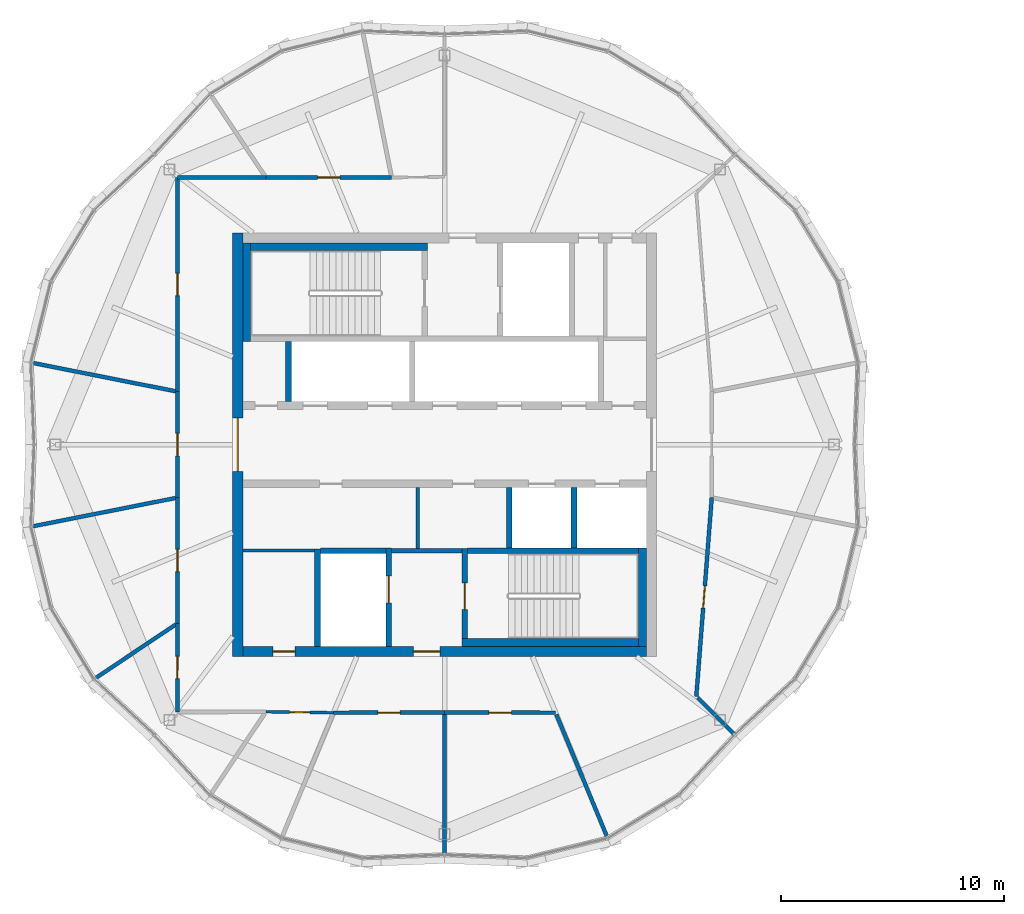
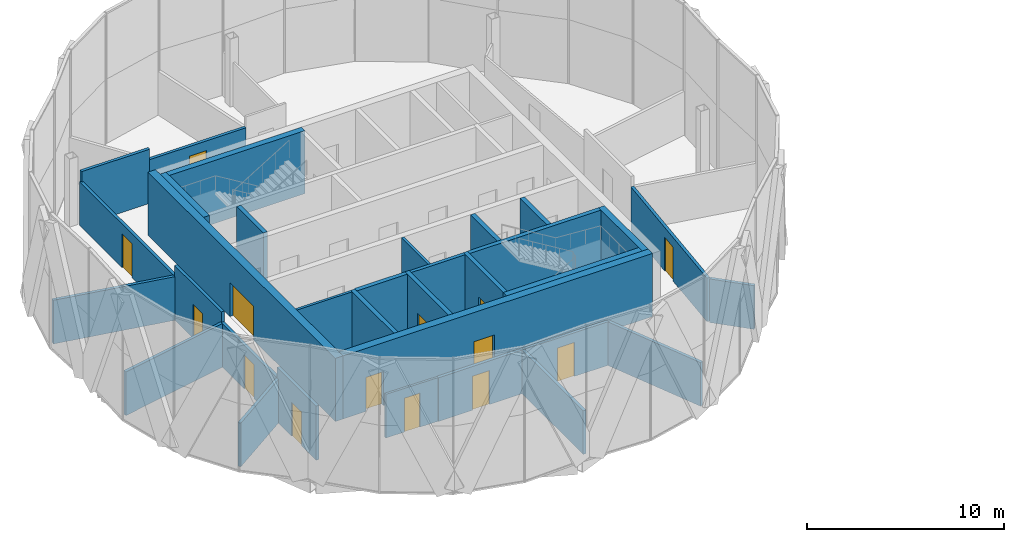
# One storey, part 15 of 22: 33 walls, 14 doors, 14 openings.
"""IFC4 building model written with IfcOpenShell, lengths in metres."""

from ifc_helpers import new_model, si_unit, direction, frame, frame_2d, origin, place, context, subcontext, project, spatial, rectangle, extrude, material, layer, layer_set, type_object, element, fill, save


model = new_model("IFC4")

# Units and contexts
model_context = context("Model", 3, precision=1e-05, world=origin(), true_north=direction((0.0, 1.0)))
body_context = subcontext(model_context, "Body", "Model", "MODEL_VIEW")
ifc_project = project(units=[si_unit("LENGTHUNIT", "METRE"), si_unit("AREAUNIT", "SQUARE_METRE"), si_unit("VOLUMEUNIT", "CUBIC_METRE"), si_unit("PLANEANGLEUNIT", "RADIAN"), si_unit("MASSUNIT", "GRAM", prefix="KILO")], contexts=[model_context])

# Site, building, storey
site_placement = place(None, origin())
site = spatial("IfcSite", under=ifc_project, at=site_placement, CompositionType="ELEMENT")
building_placement = place(site_placement, origin())
building = spatial("IfcBuilding", under=site, at=building_placement, Name="Ogive Gate Towers", CompositionType="ELEMENT")
storey_placement = place(building_placement, frame((0.0, 0.0, 285.60009765625)))
storey = spatial("IfcBuildingStorey", under=building, at=storey_placement, Name="L67", CompositionType="ELEMENT", Elevation=285.60009765625)

# Walls
ifc_material_1 = material(Name="Gypsum board acoustic partition")
ifc_layer_1 = layer(ifc_material_1, 0.175048828125)
ifc_layer_set_1 = layer_set([ifc_layer_1], Name="Acoustic partition 175")
wall_type_1 = type_object("IfcWallType", Name="Acoustic partition 175", PredefinedType="PARTITIONING", material=ifc_layer_set_1)
for number, where, z_axis, x_axis, name in (
    (1, (-54.440185546875, 3.658203125, 0.0), (0.0, 0.0, 1.0), (0.980884237162, -0.1945921717, 0.0), "Partition T1-L67-006"),
    (2, (-54.440185546875, -3.658203125, 0.0), (0.0, 0.0, 1.0), (0.980884237162, 0.1945921717, 0.0), "Partition T1-L67-007"),
):
    element("IfcWall", number, at=place(storey_placement, frame(where, z_axis=z_axis, x_axis=x_axis)), inside=storey, type_object=wall_type_1, Name=name, PredefinedType="PARTITIONING", context=body_context, shape_type="SweptSolid", body=[
        extrude(rectangle(XDim=6.50146484375, YDim=0.175048828125, at=frame_2d((3.250732421875, 0.0))), origin(), (0.0, 0.0, 1.0), 2.699951171875),
    ])
wall_1_placement = place(storey_placement, frame((-51.700439453125, -10.502197265625, 0.0), z_axis=(0.0, 0.0, 1.0), x_axis=(0.831193947299, 0.555982573444, 0.0)))
element("IfcWall", 3, at=wall_1_placement, inside=storey, type_object=wall_type_1, Name="Partition T1-L67-008", PredefinedType="PARTITIONING", context=body_context, shape_type="SweptSolid", body=[
    extrude(rectangle(XDim=4.39111328125, YDim=0.175048828125, at=frame_2d((2.195556640625, 0.0))), origin(), (0.0, 0.0, 1.0), 2.699951171875),
])
wall_2_placement = place(storey_placement, frame((-36.0, -18.299072265625, 0.0), z_axis=(0.0, 0.0, 1.0), x_axis=(0.0, 1.0, 0.0)))
element("IfcWall", 4, at=wall_2_placement, inside=storey, type_object=wall_type_1, Name="Partition T1-L67-011", PredefinedType="PARTITIONING", context=body_context, shape_type="SweptSolid", body=[
    extrude(rectangle(XDim=6.201416015625, YDim=0.175048828125, at=frame_2d((3.1005859375, 0.0))), origin(), (0.0, 0.0, 1.0), 2.699951171875),
])
wall_3_placement = place(storey_placement, frame((-28.72900390625, -17.553955078125, 0.0), z_axis=(0.0, 0.0, 1.0), x_axis=(-0.382661134108, 0.923888768436, 0.0)))
element("IfcWall", 5, at=wall_3_placement, inside=storey, type_object=wall_type_1, Name="Partition T1-L67-012", PredefinedType="PARTITIONING", context=body_context, shape_type="SweptSolid", body=[
    extrude(rectangle(XDim=5.901611328125, YDim=0.175048828125, at=frame_2d((2.95068359375, 0.0))), origin(), (0.0, 0.0, 1.0), 2.699951171875),
])
wall_4_placement = place(storey_placement, frame((-23.005126953125, -12.994873046875, 0.0), z_axis=(0.0, 0.0, 1.0), x_axis=(-0.707106781187, 0.707106781187, 0.0)))
element("IfcWall", 6, at=wall_4_placement, inside=storey, type_object=wall_type_1, Name="Partition T1-L67-013", PredefinedType="PARTITIONING", context=body_context, shape_type="SweptSolid", body=[
    extrude(rectangle(XDim=2.329833984375, YDim=0.175048828125, at=frame_2d((1.1650390625, 0.0))), origin(), (0.0, 0.0, 1.0), 2.699951171875),
])

# Wall, opening, door
wall_5_placement = place(storey_placement, frame((-40.979248046875, -12.020751953125, 0.0), z_axis=(0.0, 0.0, 1.0), x_axis=(0.999997672839, 0.002157386497, 0.0)))
wall_5 = element("IfcWall", 7, at=wall_5_placement, inside=storey, type_object=wall_type_1, Name="Partition T1-L67-016", PredefinedType="PARTITIONING", context=body_context, shape_type="SweptSolid", body=[
    extrude(rectangle(XDim=4.979248046875, YDim=0.175048828125, at=frame_2d((2.48974609375, 0.0))), origin(), (0.0, 0.0, 1.0), 2.699951171875),
])
opening_1_placement = place(wall_5_placement, frame((1.989990234375, 0.0, 0.0)))
opening_1 = element("IfcOpeningElement", 8, at=opening_1_placement, cuts=wall_5, Name="Opening T1-L67-D02", PredefinedType="OPENING", context=body_context, shape_type="SweptSolid", body=[
    extrude(rectangle(XDim=1.0, YDim=2.10009765625, at=frame_2d((0.5, 1.050048828125))), frame((0.0, 0.09765625, 0.0), z_axis=(0.0, -1.0, 0.0), x_axis=(1.0, 0.0, 0.0)), (0.0, 0.0, 1.0), 0.195068359375),
])
ifc_material_2 = material(Name="Timber door", Category="wood")
door_type_1 = type_object("IfcDoorType", Name="Door 1000", OperationType="NOTDEFINED", PredefinedType="DOOR", material=ifc_material_2)
door_1_placement = place(opening_1_placement, origin())
door_1 = element("IfcDoor", 9, at=door_1_placement, inside=storey, type_object=door_type_1, Name="Door T1-L67-D02", OperationType="SINGLE_SWING_LEFT", OverallHeight=2.10009765625, OverallWidth=1.0, PredefinedType="DOOR", context=body_context, shape_type="SweptSolid", body=[
    extrude(rectangle(XDim=1.0, YDim=2.10009765625, at=frame_2d((0.5, 1.050048828125))), frame((0.0, 0.02490234375, 0.0), z_axis=(0.0, -1.0, 0.0), x_axis=(1.0, 0.0, 0.0)), (0.0, 0.0, 1.0), 0.050048828125),
])
fill(opening_1, door_1)

wall_6_placement = place(storey_placement, frame((-36.0, -12.010009765625, 0.0), z_axis=(0.0, 0.0, 1.0), x_axis=(0.999997672839, -0.002157386497, 0.0)))
wall_6 = element("IfcWall", 10, at=wall_6_placement, inside=storey, type_object=wall_type_1, Name="Partition T1-L67-017", PredefinedType="PARTITIONING", context=body_context, shape_type="SweptSolid", body=[
    extrude(rectangle(XDim=4.979248046875, YDim=0.175048828125, at=frame_2d((2.48974609375, 0.0))), origin(), (0.0, 0.0, 1.0), 2.699951171875),
])
opening_2_placement = place(wall_6_placement, frame((1.989990234375, 0.0, 0.0)))
opening_2 = element("IfcOpeningElement", 11, at=opening_2_placement, cuts=wall_6, Name="Opening T1-L67-D03", PredefinedType="OPENING", context=body_context, shape_type="SweptSolid", body=[
    extrude(rectangle(XDim=1.0, YDim=2.10009765625, at=frame_2d((0.5, 1.050048828125))), frame((0.0, 0.09765625, 0.0), z_axis=(0.0, -1.0, 0.0), x_axis=(1.0, 0.0, 0.0)), (0.0, 0.0, 1.0), 0.195068359375),
])
door_2_placement = place(opening_2_placement, origin())
door_2 = element("IfcDoor", 12, at=door_2_placement, inside=storey, type_object=door_type_1, Name="Door T1-L67-D03", OperationType="SINGLE_SWING_RIGHT", OverallHeight=2.10009765625, OverallWidth=1.0, PredefinedType="DOOR", context=body_context, shape_type="SweptSolid", body=[
    extrude(rectangle(XDim=1.0, YDim=2.10009765625, at=frame_2d((0.5, 1.050048828125))), frame((0.0, 0.02490234375, 0.0), z_axis=(0.0, -1.0, 0.0), x_axis=(1.0, 0.0, 0.0)), (0.0, 0.0, 1.0), 0.050048828125),
])
fill(opening_2, door_2)

wall_7_placement = place(storey_placement, frame((-24.714599609375, -11.285400390625, 0.0), z_axis=(0.0, 0.0, 1.0), x_axis=(0.077400559518, 0.997000076924, 0.0)))
wall_7 = element("IfcWall", 13, at=wall_7_placement, inside=storey, type_object=wall_type_1, Name="Partition T1-L67-018", PredefinedType="PARTITIONING", context=body_context, shape_type="SweptSolid", body=[
    extrude(rectangle(XDim=8.93603515625, YDim=0.175048828125, at=frame_2d((4.468017578125, 0.0))), origin(), (0.0, 0.0, 1.0), 2.699951171875),
])
opening_3_placement = place(wall_7_placement, frame((3.968017578125, 0.0, 0.0)))
opening_3 = element("IfcOpeningElement", 14, at=opening_3_placement, cuts=wall_7, Name="Opening T1-L67-D04", PredefinedType="OPENING", context=body_context, shape_type="SweptSolid", body=[
    extrude(rectangle(XDim=1.0, YDim=2.10009765625, at=frame_2d((0.5, 1.050048828125))), frame((0.0, 0.09765625, 0.0), z_axis=(0.0, -1.0, 0.0), x_axis=(1.0, 0.0, 0.0)), (0.0, 0.0, 1.0), 0.195068359375),
])
door_3_placement = place(opening_3_placement, origin())
door_3 = element("IfcDoor", 15, at=door_3_placement, inside=storey, type_object=door_type_1, Name="Door T1-L67-D04", OperationType="SINGLE_SWING_LEFT", OverallHeight=2.10009765625, OverallWidth=1.0, PredefinedType="DOOR", context=body_context, shape_type="SweptSolid", body=[
    extrude(rectangle(XDim=1.0, YDim=2.10009765625, at=frame_2d((0.5, 1.050048828125))), frame((0.0, 0.02490234375, 0.0), z_axis=(0.0, -1.0, 0.0), x_axis=(1.0, 0.0, 0.0)), (0.0, 0.0, 1.0), 0.050048828125),
])
fill(opening_3, door_3)

wall_8_placement = place(storey_placement, frame((-38.376220703125, 11.97705078125, 0.0), z_axis=(0.0, 0.0, 1.0), x_axis=(-0.999999991556, 0.000129954515, 0.0)))
wall_8 = element("IfcWall", 16, at=wall_8_placement, inside=storey, type_object=wall_type_1, Name="Partition T1-L67-022", PredefinedType="PARTITIONING", context=body_context, shape_type="SweptSolid", body=[
    extrude(rectangle(XDim=5.635986328125, YDim=0.175048828125, at=frame_2d((2.81787109375, 0.0))), origin(), (0.0, 0.0, 1.0), 2.699951171875),
])
opening_4_placement = place(wall_8_placement, frame((2.318115234375, 0.0, 0.0)))
opening_4 = element("IfcOpeningElement", 17, at=opening_4_placement, cuts=wall_8, Name="Opening T1-L67-D08", PredefinedType="OPENING", context=body_context, shape_type="SweptSolid", body=[
    extrude(rectangle(XDim=1.0, YDim=2.10009765625, at=frame_2d((0.5, 1.050048828125))), frame((0.0, 0.09765625, 0.0), z_axis=(0.0, -1.0, 0.0), x_axis=(1.0, 0.0, 0.0)), (0.0, 0.0, 1.0), 0.195068359375),
])
door_4_placement = place(opening_4_placement, origin())
door_4 = element("IfcDoor", 18, at=door_4_placement, inside=storey, type_object=door_type_1, Name="Door T1-L67-D08", OperationType="SINGLE_SWING_RIGHT", OverallHeight=2.10009765625, OverallWidth=1.0, PredefinedType="DOOR", context=body_context, shape_type="SweptSolid", body=[
    extrude(rectangle(XDim=1.0, YDim=2.10009765625, at=frame_2d((0.5, 1.050048828125))), frame((0.0, 0.02490234375, 0.0), z_axis=(0.0, -1.0, 0.0), x_axis=(1.0, 0.0, 0.0)), (0.0, 0.0, 1.0), 0.050048828125),
])
fill(opening_4, door_4)

wall_9_placement = place(storey_placement, frame((-47.97998046875, 11.97998046875, 0.0), z_axis=(0.0, 0.0, 1.0), x_axis=(0.000305056294, -0.99999995347, 0.0)))
wall_9 = element("IfcWall", 19, at=wall_9_placement, inside=storey, type_object=wall_type_1, Name="Partition T1-L67-023", PredefinedType="PARTITIONING", context=body_context, shape_type="SweptSolid", body=[
    extrude(rectangle(XDim=9.603759765625, YDim=0.175048828125, at=frame_2d((4.8017578125, 0.0))), origin(), (0.0, 0.0, 1.0), 2.699951171875),
])
opening_5_placement = place(wall_9_placement, frame((4.302001953125, 0.0, 0.0)))
opening_5 = element("IfcOpeningElement", 20, at=opening_5_placement, cuts=wall_9, Name="Opening T1-L67-D09", PredefinedType="OPENING", context=body_context, shape_type="SweptSolid", body=[
    extrude(rectangle(XDim=1.0, YDim=2.10009765625, at=frame_2d((0.5, 1.050048828125))), frame((0.0, 0.09765625, 0.0), z_axis=(0.0, -1.0, 0.0), x_axis=(1.0, 0.0, 0.0)), (0.0, 0.0, 1.0), 0.195068359375),
])
door_5_placement = place(opening_5_placement, origin())
door_5 = element("IfcDoor", 21, at=door_5_placement, inside=storey, type_object=door_type_1, Name="Door T1-L67-D09", OperationType="SINGLE_SWING_LEFT", OverallHeight=2.10009765625, OverallWidth=1.0, PredefinedType="DOOR", context=body_context, shape_type="SweptSolid", body=[
    extrude(rectangle(XDim=1.0, YDim=2.10009765625, at=frame_2d((0.5, 1.050048828125))), frame((0.0, 0.02490234375, 0.0), z_axis=(0.0, -1.0, 0.0), x_axis=(1.0, 0.0, 0.0)), (0.0, 0.0, 1.0), 0.050048828125),
])
fill(opening_5, door_5)

# Wall
wall_10_placement = place(storey_placement, frame((-44.01220703125, 11.977783203125, 0.0), z_axis=(0.0, 0.0, 1.0), x_axis=(-0.999999846665, 0.000553777912, 0.0)))
element("IfcWall", 22, at=wall_10_placement, inside=storey, type_object=wall_type_1, Name="Partition T1-L67-024", PredefinedType="PARTITIONING", context=body_context, shape_type="SweptSolid", body=[
    extrude(rectangle(XDim=3.9677734375, YDim=0.175048828125, at=frame_2d((1.98388671875, 0.0))), origin(), (0.0, 0.0, 1.0), 3.349853515625),
])

# Wall, opening, door
wall_11_placement = place(storey_placement, frame((-47.97705078125, 2.376220703125, 0.0), z_axis=(0.0, 0.0, 1.0), x_axis=(0.0, -1.0, 0.0)))
wall_11 = element("IfcWall", 23, at=wall_11_placement, inside=storey, type_object=wall_type_1, Name="Partition T1-L67-025", PredefinedType="PARTITIONING", context=body_context, shape_type="SweptSolid", body=[
    extrude(rectangle(XDim=4.75244140625, YDim=0.175048828125, at=frame_2d((2.376220703125, 0.0))), origin(), (0.0, 0.0, 1.0), 3.349853515625),
])
opening_6_placement = place(wall_11_placement, frame((1.8759765625, 0.0, 0.0)))
opening_6 = element("IfcOpeningElement", 24, at=opening_6_placement, cuts=wall_11, Name="Opening T1-L67-D10", PredefinedType="OPENING", context=body_context, shape_type="SweptSolid", body=[
    extrude(rectangle(XDim=1.0, YDim=2.10009765625, at=frame_2d((0.5, 1.050048828125))), frame((0.0, 0.09765625, 0.0), z_axis=(0.0, -1.0, 0.0), x_axis=(1.0, 0.0, 0.0)), (0.0, 0.0, 1.0), 0.195068359375),
])
door_6_placement = place(opening_6_placement, origin())
door_6 = element("IfcDoor", 25, at=door_6_placement, inside=storey, type_object=door_type_1, Name="Door T1-L67-D10", OperationType="SINGLE_SWING_LEFT", OverallHeight=2.10009765625, OverallWidth=1.0, PredefinedType="DOOR", context=body_context, shape_type="SweptSolid", body=[
    extrude(rectangle(XDim=1.0, YDim=2.10009765625, at=frame_2d((0.5, 1.050048828125))), frame((0.0, 0.02490234375, 0.0), z_axis=(0.0, -1.0, 0.0), x_axis=(1.0, 0.0, 0.0)), (0.0, 0.0, 1.0), 0.050048828125),
])
fill(opening_6, door_6)

wall_12_placement = place(storey_placement, frame((-47.97705078125, -2.376220703125, 0.0), z_axis=(0.0, 0.0, 1.0), x_axis=(-0.000129954515, -0.999999991556, 0.0)))
wall_12 = element("IfcWall", 26, at=wall_12_placement, inside=storey, type_object=wall_type_1, Name="Partition T1-L67-026", PredefinedType="PARTITIONING", context=body_context, shape_type="SweptSolid", body=[
    extrude(rectangle(XDim=5.635986328125, YDim=0.175048828125, at=frame_2d((2.81787109375, 0.0))), origin(), (0.0, 0.0, 1.0), 2.699951171875),
])
opening_7_placement = place(wall_12_placement, frame((2.318115234375, 0.0, 0.0)))
opening_7 = element("IfcOpeningElement", 27, at=opening_7_placement, cuts=wall_12, Name="Opening T1-L67-D11", PredefinedType="OPENING", context=body_context, shape_type="SweptSolid", body=[
    extrude(rectangle(XDim=1.0, YDim=2.10009765625, at=frame_2d((0.5, 1.050048828125))), frame((0.0, 0.09765625, 0.0), z_axis=(0.0, -1.0, 0.0), x_axis=(1.0, 0.0, 0.0)), (0.0, 0.0, 1.0), 0.195068359375),
])
door_7_placement = place(opening_7_placement, origin())
door_7 = element("IfcDoor", 28, at=door_7_placement, inside=storey, type_object=door_type_1, Name="Door T1-L67-D11", OperationType="SINGLE_SWING_RIGHT", OverallHeight=2.10009765625, OverallWidth=1.0, PredefinedType="DOOR", context=body_context, shape_type="SweptSolid", body=[
    extrude(rectangle(XDim=1.0, YDim=2.10009765625, at=frame_2d((0.5, 1.050048828125))), frame((0.0, 0.02490234375, 0.0), z_axis=(0.0, -1.0, 0.0), x_axis=(1.0, 0.0, 0.0)), (0.0, 0.0, 1.0), 0.050048828125),
])
fill(opening_7, door_7)

wall_13_placement = place(storey_placement, frame((-47.977783203125, -8.01220703125, 0.0), z_axis=(0.0, 0.0, 1.0), x_axis=(-0.000553777912, -0.999999846665, 0.0)))
wall_13 = element("IfcWall", 29, at=wall_13_placement, inside=storey, type_object=wall_type_1, Name="Partition T1-L67-027", PredefinedType="PARTITIONING", context=body_context, shape_type="SweptSolid", body=[
    extrude(rectangle(XDim=3.9677734375, YDim=0.175048828125, at=frame_2d((1.98388671875, 0.0))), origin(), (0.0, 0.0, 1.0), 3.349853515625),
])
opening_8_placement = place(wall_13_placement, frame((1.48388671875, 0.0, 0.0)))
opening_8 = element("IfcOpeningElement", 30, at=opening_8_placement, cuts=wall_13, Name="Opening T1-L67-D12", PredefinedType="OPENING", context=body_context, shape_type="SweptSolid", body=[
    extrude(rectangle(XDim=1.0, YDim=2.10009765625, at=frame_2d((0.5, 1.050048828125))), frame((0.0, 0.09765625, 0.0), z_axis=(0.0, -1.0, 0.0), x_axis=(1.0, 0.0, 0.0)), (0.0, 0.0, 1.0), 0.195068359375),
])
door_8_placement = place(opening_8_placement, origin())
door_8 = element("IfcDoor", 31, at=door_8_placement, inside=storey, type_object=door_type_1, Name="Door T1-L67-D12", OperationType="SINGLE_SWING_RIGHT", OverallHeight=2.10009765625, OverallWidth=1.0, PredefinedType="DOOR", context=body_context, shape_type="SweptSolid", body=[
    extrude(rectangle(XDim=1.0, YDim=2.10009765625, at=frame_2d((0.5, 1.050048828125))), frame((0.0, 0.02490234375, 0.0), z_axis=(0.0, -1.0, 0.0), x_axis=(1.0, 0.0, 0.0)), (0.0, 0.0, 1.0), 0.050048828125),
])
fill(opening_8, door_8)

# Wall
ifc_material_3 = material(Name="Masonry blockwork", Category="masonry")
ifc_layer_2 = layer(ifc_material_3, 0.199951171875)
ifc_layer_set_2 = layer_set([ifc_layer_2], Name="Blockwork wall 200 mm")
wall_type_2 = type_object("IfcWallType", Name="Blockwork wall 200 mm", PredefinedType="PARTITIONING", material=ifc_layer_set_2)
wall_14_placement = place(storey_placement, frame((-38.375, -4.75, 0.0), z_axis=(0.0, 0.0, 1.0), x_axis=(1.0, 0.0, 0.0)))
element("IfcWall", 32, at=wall_14_placement, inside=storey, type_object=wall_type_2, Name="T1 L67 Blockwork wall 200 mm", PredefinedType="PARTITIONING", context=body_context, shape_type="SweptSolid", body=[
    extrude(rectangle(XDim=3.14990234375, YDim=0.199951171875, at=frame_2d((1.574951171875, 0.0))), origin(), (0.0, 0.0, 1.0), 3.89990234375),
])

# Wall, openings, doors
ifc_material_4 = material(Name="Concrete C60/75", Category="concrete")
ifc_layer_3 = layer(ifc_material_4, 0.449951171875)
ifc_layer_set_3 = layer_set([ifc_layer_3], Name="Core wall 450 mm")
wall_type_3 = type_object("IfcWallType", Name="Core wall 450 mm", PredefinedType="SHEAR", material=ifc_layer_set_3)
wall_15_placement = place(storey_placement, frame((-45.050048828125, -9.27490234375, 0.0), z_axis=(0.0, 0.0, 1.0), x_axis=(1.0, 0.0, 0.0)))
wall_15 = element("IfcWall", 33, at=wall_15_placement, inside=storey, type_object=wall_type_3, Name="T1 L67 Core wall 450 mm", PredefinedType="SHEAR", context=body_context, shape_type="SweptSolid", body=[
    extrude(rectangle(XDim=18.10009765625, YDim=0.449951171875, at=frame_2d((9.050048828125, 0.0))), origin(), (0.0, 0.0, 1.0), 3.89990234375),
])
opening_9_placement = place(wall_15_placement, frame((7.64990234375, 0.0, 0.0)))
opening_9 = element("IfcOpeningElement", 34, at=opening_9_placement, cuts=wall_15, Name="Opening KD-T1-L67-19", PredefinedType="OPENING", context=body_context, shape_type="SweptSolid", body=[
    extrude(rectangle(XDim=1.199951171875, YDim=2.10009765625, at=frame_2d((0.60009765625, 1.050048828125))), frame((0.0, 0.23486328125, 0.0), z_axis=(0.0, -1.0, 0.0), x_axis=(1.0, 0.0, 0.0)), (0.0, 0.0, 1.0), 0.469970703125),
])
opening_10_placement = place(wall_15_placement, frame((1.35009765625, 0.0, 0.0)))
opening_10 = element("IfcOpeningElement", 35, at=opening_10_placement, cuts=wall_15, Name="Opening KD-T1-L67-22", PredefinedType="OPENING", context=body_context, shape_type="SweptSolid", body=[
    extrude(rectangle(XDim=1.0, YDim=2.10009765625, at=frame_2d((0.5, 1.050048828125))), frame((0.0, 0.23486328125, 0.0), z_axis=(0.0, -1.0, 0.0), x_axis=(1.0, 0.0, 0.0)), (0.0, 0.0, 1.0), 0.469970703125),
])
door_type_2 = type_object("IfcDoorType", Name="Accessible WC door 1000 x 2100", OperationType="NOTDEFINED", PredefinedType="DOOR", material=ifc_material_2)
door_9_placement = place(opening_10_placement, origin())
door_9 = element("IfcDoor", 36, at=door_9_placement, inside=storey, type_object=door_type_2, Name="T1 L67 Core door", OperationType="SINGLE_SWING_LEFT", OverallHeight=2.10009765625, OverallWidth=1.0, PredefinedType="DOOR", context=body_context, shape_type="SweptSolid", body=[
    extrude(rectangle(XDim=1.0, YDim=2.10009765625, at=frame_2d((0.5, 1.050048828125))), frame((0.0, 0.02490234375, 0.0), z_axis=(0.0, -1.0, 0.0), x_axis=(1.0, 0.0, 0.0)), (0.0, 0.0, 1.0), 0.050048828125),
])
fill(opening_10, door_9)
ifc_material_5 = material(Name="Steel fire door", Category="steel")
door_type_3 = type_object("IfcDoorType", Name="Core door FD60S 1200 x 2100", OperationType="NOTDEFINED", PredefinedType="DOOR", material=ifc_material_5)
door_10_placement = place(opening_9_placement, origin())
door_10 = element("IfcDoor", 37, at=door_10_placement, inside=storey, type_object=door_type_3, Name="T1 L67 Fire-fighting lobby door", OperationType="SINGLE_SWING_RIGHT", OverallHeight=2.10009765625, OverallWidth=1.199951171875, PredefinedType="DOOR", context=body_context, shape_type="SweptSolid", body=[
    extrude(rectangle(XDim=1.199951171875, YDim=2.10009765625, at=frame_2d((0.60009765625, 1.050048828125))), frame((0.0, 0.02490234375, 0.0), z_axis=(0.0, -1.0, 0.0), x_axis=(1.0, 0.0, 0.0)), (0.0, 0.0, 1.0), 0.050048828125),
])
fill(opening_9, door_10)

# Wall, opening, door
wall_16_placement = place(storey_placement, frame((-45.27490234375, -9.5, 0.0), z_axis=(0.0, 0.0, 1.0), x_axis=(0.0, 1.0, 0.0)))
wall_16 = element("IfcWall", 38, at=wall_16_placement, inside=storey, type_object=wall_type_3, Name="T1 L67 Core wall 450 mm", PredefinedType="SHEAR", context=body_context, shape_type="SweptSolid", body=[
    extrude(rectangle(XDim=19.0, YDim=0.449951171875, at=frame_2d((9.5, 0.0))), origin(), (0.0, 0.0, 1.0), 3.89990234375),
])
opening_11_placement = place(wall_16_placement, frame((8.300048828125, 0.0, 0.0)))
opening_11 = element("IfcOpeningElement", 39, at=opening_11_placement, cuts=wall_16, Name="Opening KD-T1-L67-01", PredefinedType="OPENING", context=body_context, shape_type="SweptSolid", body=[
    extrude(rectangle(XDim=2.39990234375, YDim=2.10009765625, at=frame_2d((1.199951171875, 1.050048828125))), frame((0.0, 0.23486328125, 0.0), z_axis=(0.0, -1.0, 0.0), x_axis=(1.0, 0.0, 0.0)), (0.0, 0.0, 1.0), 0.469970703125),
])
door_type_4 = type_object("IfcDoorType", Name="Core double door FD60S 2400 x 2100", OperationType="DOUBLE_DOOR_SINGLE_SWING", PredefinedType="DOOR", material=ifc_material_5)
door_11_placement = place(opening_11_placement, origin())
door_11 = element("IfcDoor", 40, at=door_11_placement, inside=storey, type_object=door_type_4, Name="T1 L67 Core door double", OperationType="DOUBLE_DOOR_SINGLE_SWING", OverallHeight=2.10009765625, OverallWidth=2.39990234375, PredefinedType="DOOR", context=body_context, shape_type="SweptSolid", body=[
    extrude(rectangle(XDim=2.39990234375, YDim=2.10009765625, at=frame_2d((1.199951171875, 1.050048828125))), frame((0.0, 0.02490234375, 0.0), z_axis=(0.0, -1.0, 0.0), x_axis=(1.0, 0.0, 0.0)), (0.0, 0.0, 1.0), 0.050048828125),
])
fill(opening_11, door_11)

ifc_material_6 = material(Name="Gypsum board partition")
ifc_layer_4 = layer(ifc_material_6, 0.125)
ifc_layer_set_4 = layer_set([ifc_layer_4], Name="Partition 125")
wall_type_4 = type_object("IfcWallType", Name="Partition 125", PredefinedType="PARTITIONING", material=ifc_layer_set_4)
wall_17_placement = place(storey_placement, frame((-44.01220703125, -11.977783203125, 0.0), z_axis=(0.0, 0.0, 1.0), x_axis=(0.999899659329, -0.014165848832, 0.0)))
wall_17 = element("IfcWall", 41, at=wall_17_placement, inside=storey, type_object=wall_type_4, Name="Partition T1-L67-015", PredefinedType="PARTITIONING", context=body_context, shape_type="SweptSolid", body=[
    extrude(rectangle(XDim=3.033203125, YDim=0.125, at=frame_2d((1.5166015625, 0.0))), origin(), (0.0, 0.0, 1.0), 2.699951171875),
])
opening_12_placement = place(wall_17_placement, frame((1.06689453125, 0.0, 0.0)))
opening_12 = element("IfcOpeningElement", 42, at=opening_12_placement, cuts=wall_17, Name="Opening T1-L67-D01", PredefinedType="OPENING", context=body_context, shape_type="SweptSolid", body=[
    extrude(rectangle(XDim=0.89990234375, YDim=2.10009765625, at=frame_2d((0.449951171875, 1.050048828125))), frame((0.0, 0.072509765625, 0.0), z_axis=(0.0, -1.0, 0.0), x_axis=(1.0, 0.0, 0.0)), (0.0, 0.0, 1.0), 0.14501953125),
])
door_type_5 = type_object("IfcDoorType", Name="Door 900", OperationType="NOTDEFINED", PredefinedType="DOOR", material=ifc_material_2)
door_12_placement = place(opening_12_placement, origin())
door_12 = element("IfcDoor", 43, at=door_12_placement, inside=storey, type_object=door_type_5, Name="Door T1-L67-D01", OperationType="SINGLE_SWING_LEFT", OverallHeight=2.10009765625, OverallWidth=0.89990234375, PredefinedType="DOOR", context=body_context, shape_type="SweptSolid", body=[
    extrude(rectangle(XDim=0.89990234375, YDim=2.10009765625, at=frame_2d((0.449951171875, 1.050048828125))), frame((0.0, 0.02490234375, 0.0), z_axis=(0.0, -1.0, 0.0), x_axis=(1.0, 0.0, 0.0)), (0.0, 0.0, 1.0), 0.050048828125),
])
fill(opening_12, door_12)

# Walls
ifc_layer_5 = layer(ifc_material_6, 0.14990234375)
ifc_layer_set_5 = layer_set([ifc_layer_5], Name="Room partition 150 mm")
wall_type_5 = type_object("IfcWallType", Name="Room partition 150 mm", PredefinedType="PARTITIONING", material=ifc_layer_set_5)
wall_18_placement = place(storey_placement, frame((-45.050048828125, -4.75, 0.0), z_axis=(0.0, 0.0, 1.0), x_axis=(1.0, 0.0, 0.0)))
element("IfcWall", 44, at=wall_18_placement, inside=storey, type_object=wall_type_5, Name="T1 L67 Room partition 150 mm", PredefinedType="PARTITIONING", context=body_context, shape_type="SweptSolid", body=[
    extrude(rectangle(XDim=3.22509765625, YDim=0.14990234375, at=frame_2d((1.612548828125, 0.0))), origin(), (0.0, 0.0, 1.0), 3.89990234375),
])
wall_19_placement = place(storey_placement, frame((-37.199951171875, -4.64990234375, 0.0), z_axis=(0.0, 0.0, 1.0), x_axis=(0.0, 1.0, 0.0)))
element("IfcWall", 45, at=wall_19_placement, inside=storey, type_object=wall_type_5, Name="T1 L67 Room partition 150 mm", PredefinedType="PARTITIONING", context=body_context, shape_type="SweptSolid", body=[
    extrude(rectangle(XDim=2.724853515625, YDim=0.14990234375, at=frame_2d((1.3623046875, 0.0))), origin(), (0.0, 0.0, 1.0), 3.89990234375),
])
ifc_layer_6 = layer(ifc_material_4, 0.25)
ifc_layer_set_6 = layer_set([ifc_layer_6], Name="Shaft wall 250 mm")
wall_type_6 = type_object("IfcWallType", Name="Shaft wall 250 mm", PredefinedType="SHEAR", material=ifc_layer_set_6)
wall_20_placement = place(storey_placement, frame((-41.574951171875, -4.75, 0.0), z_axis=(0.0, 0.0, 1.0), x_axis=(1.0, 0.0, 0.0)))
element("IfcWall", 46, at=wall_20_placement, inside=storey, type_object=wall_type_6, Name="T1 L67 Shaft wall 250 mm", PredefinedType="SHEAR", context=body_context, shape_type="SweptSolid", body=[
    extrude(rectangle(XDim=2.949951171875, YDim=0.25, at=frame_2d((1.47509765625, 0.0))), origin(), (0.0, 0.0, 1.0), 3.89990234375),
])
wall_21_placement = place(storey_placement, frame((-34.97509765625, -4.75, 0.0), z_axis=(0.0, 0.0, 1.0), x_axis=(1.0, 0.0, 0.0)))
element("IfcWall", 47, at=wall_21_placement, inside=storey, type_object=wall_type_6, Name="T1 L67 Shaft wall 250 mm", PredefinedType="SHEAR", context=body_context, shape_type="SweptSolid", body=[
    extrude(rectangle(XDim=7.675048828125, YDim=0.25, at=frame_2d((3.83740234375, 0.0))), origin(), (0.0, 0.0, 1.0), 3.89990234375),
])
wall_22_placement = place(storey_placement, frame((-43.0, 1.925048828125, 0.0), z_axis=(0.0, 0.0, 1.0), x_axis=(0.0, 1.0, 0.0)))
element("IfcWall", 48, at=wall_22_placement, inside=storey, type_object=wall_type_6, Name="T1 L67 Shaft wall 250 mm", PredefinedType="SHEAR", context=body_context, shape_type="SweptSolid", body=[
    extrude(rectangle(XDim=2.699951171875, YDim=0.25, at=frame_2d((1.35009765625, 0.0))), origin(), (0.0, 0.0, 1.0), 3.89990234375),
])
wall_23_placement = place(storey_placement, frame((-41.699951171875, -9.050048828125, 0.0), z_axis=(0.0, 0.0, 1.0), x_axis=(0.0, 1.0, 0.0)))
element("IfcWall", 49, at=wall_23_placement, inside=storey, type_object=wall_type_6, Name="T1 L67 Shaft wall 250 mm", PredefinedType="SHEAR", context=body_context, shape_type="SweptSolid", body=[
    extrude(rectangle(XDim=4.375, YDim=0.25, at=frame_2d((2.1875, 0.0))), origin(), (0.0, 0.0, 1.0), 3.89990234375),
])

# Wall, opening, door
wall_24_placement = place(storey_placement, frame((-38.5, -9.050048828125, 0.0), z_axis=(0.0, 0.0, 1.0), x_axis=(0.0, 1.0, 0.0)))
wall_24 = element("IfcWall", 50, at=wall_24_placement, inside=storey, type_object=wall_type_6, Name="T1 L67 Shaft wall 250 mm", PredefinedType="SHEAR", context=body_context, shape_type="SweptSolid", body=[
    extrude(rectangle(XDim=4.425048828125, YDim=0.25, at=frame_2d((2.21240234375, 0.0))), origin(), (0.0, 0.0, 1.0), 3.89990234375),
])
opening_13_placement = place(wall_24_placement, frame((1.949951171875, 0.0, 0.0)))
opening_13 = element("IfcOpeningElement", 51, at=opening_13_placement, cuts=wall_24, Name="Opening LD-T1-L67-13", PredefinedType="OPENING", context=body_context, shape_type="SweptSolid", body=[
    extrude(rectangle(XDim=1.199951171875, YDim=2.10009765625, at=frame_2d((0.60009765625, 1.050048828125))), frame((0.0, 0.135009765625, 0.0), z_axis=(0.0, -1.0, 0.0), x_axis=(1.0, 0.0, 0.0)), (0.0, 0.0, 1.0), 0.27001953125),
])
ifc_material_7 = material(Name="Stainless steel landing door", Category="steel")
door_type_6 = type_object("IfcDoorType", Name="Landing door 1200 x 2100", OperationType="SLIDING_TO_LEFT", PredefinedType="DOOR", material=ifc_material_7)
door_13_placement = place(opening_13_placement, origin())
door_13 = element("IfcDoor", 52, at=door_13_placement, inside=storey, type_object=door_type_6, Name="T1 L67 Lift landing door FF2", OperationType="SLIDING_TO_LEFT", OverallHeight=2.10009765625, OverallWidth=1.199951171875, PredefinedType="DOOR", context=body_context, shape_type="SweptSolid", body=[
    extrude(rectangle(XDim=1.199951171875, YDim=2.10009765625, at=frame_2d((0.60009765625, 1.050048828125))), frame((0.0, 0.02490234375, 0.0), z_axis=(0.0, -1.0, 0.0), x_axis=(1.0, 0.0, 0.0)), (0.0, 0.0, 1.0), 0.050048828125),
])
fill(opening_13, door_13)

wall_25_placement = place(storey_placement, frame((-35.10009765625, -8.699951171875, 0.0), z_axis=(0.0, 0.0, 1.0), x_axis=(0.0, 1.0, 0.0)))
wall_25 = element("IfcWall", 53, at=wall_25_placement, inside=storey, type_object=wall_type_6, Name="T1 L67 Shaft wall 250 mm", PredefinedType="SHEAR", context=body_context, shape_type="SweptSolid", body=[
    extrude(rectangle(XDim=4.050048828125, YDim=0.25, at=frame_2d((2.02490234375, 0.0))), origin(), (0.0, 0.0, 1.0), 3.89990234375),
])
opening_14_placement = place(wall_25_placement, frame((1.300048828125, 0.0, 0.0)))
opening_14 = element("IfcOpeningElement", 54, at=opening_14_placement, cuts=wall_25, Name="Opening KD-T1-L67-17", PredefinedType="OPENING", context=body_context, shape_type="SweptSolid", body=[
    extrude(rectangle(XDim=1.199951171875, YDim=2.10009765625, at=frame_2d((0.60009765625, 1.050048828125))), frame((0.0, 0.135009765625, 0.0), z_axis=(0.0, -1.0, 0.0), x_axis=(1.0, 0.0, 0.0)), (0.0, 0.0, 1.0), 0.27001953125),
])
door_14_placement = place(opening_14_placement, origin())
door_14 = element("IfcDoor", 55, at=door_14_placement, inside=storey, type_object=door_type_3, Name="T1 L67 Stair door", OperationType="SINGLE_SWING_RIGHT", OverallHeight=2.10009765625, OverallWidth=1.199951171875, PredefinedType="DOOR", context=body_context, shape_type="SweptSolid", body=[
    extrude(rectangle(XDim=1.199951171875, YDim=2.10009765625, at=frame_2d((0.60009765625, 1.050048828125))), frame((0.0, 0.02490234375, 0.0), z_axis=(0.0, -1.0, 0.0), x_axis=(1.0, 0.0, 0.0)), (0.0, 0.0, 1.0), 0.050048828125),
])
fill(opening_14, door_14)

# Walls
for number, where, z_axis, x_axis, name in (
    (56, (-33.10009765625, -4.625, 0.0), (0.0, 0.0, 1.0), (0.0, 1.0, 0.0), "T1 L67 Shaft wall 250 mm"),
    (57, (-30.199951171875, -4.625, 0.0), (0.0, 0.0, 1.0), (0.0, 1.0, 0.0), "T1 L67 Shaft wall 250 mm"),
):
    element("IfcWall", number, at=place(storey_placement, frame(where, z_axis=z_axis, x_axis=x_axis)), inside=storey, type_object=wall_type_6, Name=name, PredefinedType="SHEAR", context=body_context, shape_type="SweptSolid", body=[
        extrude(rectangle(XDim=2.699951171875, YDim=0.25, at=frame_2d((1.35009765625, 0.0))), origin(), (0.0, 0.0, 1.0), 3.89990234375),
    ])
ifc_layer_7 = layer(ifc_material_4, 0.35009765625)
ifc_layer_set_7 = layer_set([ifc_layer_7], Name="Stair wall 350 mm")
wall_type_7 = type_object("IfcWallType", Name="Stair wall 350 mm", PredefinedType="SHEAR", material=ifc_layer_set_7)
for number, where, z_axis, x_axis, name in (
    (58, (-35.22509765625, -8.875, 0.0), (0.0, 0.0, 1.0), (1.0, 0.0, 0.0), "T1 L67 Stair wall 350 mm"),
    (59, (-44.699951171875, 8.875, 0.0), (0.0, 0.0, 1.0), (1.0, 0.0, 0.0), "T1 L67 Stair wall 350 mm"),
):
    element("IfcWall", number, at=place(storey_placement, frame(where, z_axis=z_axis, x_axis=x_axis)), inside=storey, type_object=wall_type_7, Name=name, PredefinedType="SHEAR", context=body_context, shape_type="SweptSolid", body=[
        extrude(rectangle(XDim=7.925048828125, YDim=0.35009765625, at=frame_2d((3.96240234375, 0.0))), origin(), (0.0, 0.0, 1.0), 3.89990234375),
    ])
for number, where, z_axis, x_axis, name in (
    (60, (-44.875, 4.625, 0.0), (0.0, 0.0, 1.0), (0.0, 1.0, 0.0), "T1 L67 Stair wall 350 mm"),
    (61, (-27.125, -9.050048828125, 0.0), (0.0, 0.0, 1.0), (0.0, 1.0, 0.0), "T1 L67 Stair wall 350 mm"),
):
    element("IfcWall", number, at=place(storey_placement, frame(where, z_axis=z_axis, x_axis=x_axis)), inside=storey, type_object=wall_type_7, Name=name, PredefinedType="SHEAR", context=body_context, shape_type="SweptSolid", body=[
        extrude(rectangle(XDim=4.425048828125, YDim=0.35009765625, at=frame_2d((2.21240234375, 0.0))), origin(), (0.0, 0.0, 1.0), 3.89990234375),
    ])

save(model, "model.ifc")
